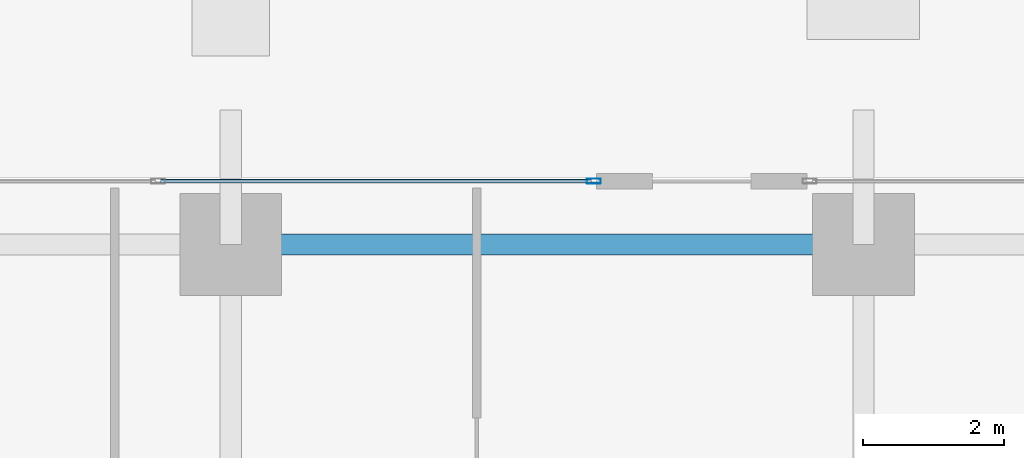
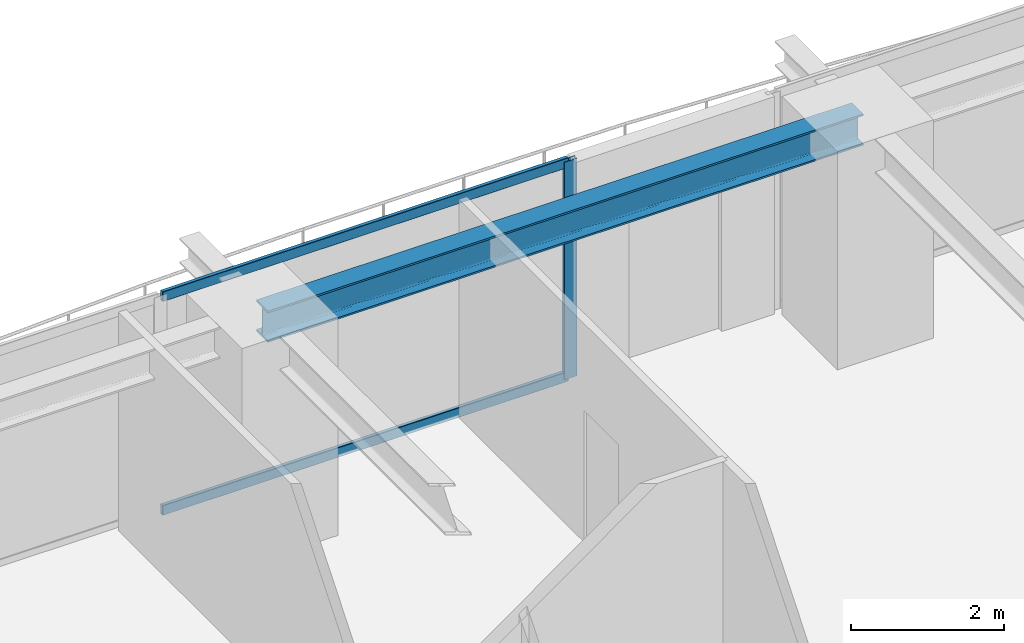
# One storey, part 18 of 36: 3 members, 1 beam, 1 element without a shape of its own.
"""IFC4 building model written with IfcOpenShell, lengths in metres."""

from ifc_helpers import new_model, si_unit, direction, frame, origin, origin_2d, place, context, subcontext, project, spatial, hollow_rectangle, i_section, extrude, source, transform, mapped, material, layer, layer_set, material_profile, profile_set, type_object, element, aggregate, save


model = new_model("IFC4")

# Units and contexts
model_context = context("Model", 3, precision=1e-05, world=origin(), true_north=direction((0.0, 1.0)))
body_context = subcontext(model_context, "Body", "Model", "MODEL_VIEW")
ifc_project = project(units=[si_unit("LENGTHUNIT", "METRE"), si_unit("AREAUNIT", "SQUARE_METRE"), si_unit("VOLUMEUNIT", "CUBIC_METRE"), si_unit("PLANEANGLEUNIT", "RADIAN"), si_unit("MASSUNIT", "GRAM", prefix="KILO")], contexts=[model_context])

# Site, building, storey
site_placement = place(None, origin())
site = spatial("IfcSite", under=ifc_project, at=site_placement, CompositionType="ELEMENT")
building_placement = place(site_placement, origin())
building = spatial("IfcBuilding", under=site, at=building_placement, Name="Serunith Strait Residences", CompositionType="ELEMENT")
storey_placement = place(building_placement, frame((0.0, 0.0, 86.699951171875)))
storey = spatial("IfcBuildingStorey", under=building, at=storey_placement, Name="L21", CompositionType="ELEMENT", Elevation=86.699951171875)

# Beam
ifc_material_1 = material(Name="Steel S355J2", Category="steel")
ifc_material_profile_1 = material_profile(ifc_material_1, i_section(OverallWidth=0.300048828125, OverallDepth=0.5, WebThickness=0.014404296875, FlangeThickness=0.028076171875, FilletRadius=0.027099609375, at=origin_2d()), Name="HEB 500")
ifc_profile_set_1 = profile_set([ifc_material_profile_1], Name="Steel S355J2")
beam_type = type_object("IfcBeamType", Name="BM-HEB500", PredefinedType="BEAM", material=ifc_profile_set_1)
shared_shape_1 = source(origin(), body_context, "Body", "SweptSolid", [
    extrude(i_section(OverallWidth=0.300048828125, OverallDepth=0.5, WebThickness=0.014404296875, FlangeThickness=0.028076171875, FilletRadius=0.027099609375, at=origin_2d()), origin(), (0.0, 0.0, 1.0), 9.0),
])
beam_placement = place(storey_placement, frame((36.89990234375, 49.300048828125, 3.237060546875), z_axis=(-1.0, 0.0, 0.0), x_axis=(0.0, -1.0, 0.0)))
element("IfcBeam", 1, at=beam_placement, inside=storey, type_object=beam_type, Name="L21 Perimeter Ring Beam 10", PredefinedType="BEAM", context=body_context, shape_type="MappedRepresentation", body=[
    mapped(shared_shape_1, transform((0.0, 0.0, 0.0), scale=1.0)),
])

# Curtain wall, members
ifc_material_2 = material(Name="Pale-Champagne Anodised Aluminium", Category="aluminium")
ifc_layer = layer(ifc_material_2, 0.199951171875, Name="Pale-Champagne Anodised Aluminium")
ifc_layer_set = layer_set([ifc_layer], Name="Pale-Champagne Anodised Aluminium")
curtain_wall_type = type_object("IfcCurtainWallType", Name="CW-SYS1", PredefinedType="NOTDEFINED", material=ifc_layer_set)
curtain_wall_placement = place(storey_placement, origin())
curtain_wall = element("IfcCurtainWall", 2, at=curtain_wall_placement, inside=storey, type_object=curtain_wall_type, Name="L21 N Unitised Fritted Curtain Wall", PredefinedType="NOTDEFINED")
ifc_material_profile_2 = material_profile(ifc_material_2, hollow_rectangle(XDim=0.070068359375, YDim=0.199951171875, WallThickness=0.00390625, InnerFilletRadius=0.006103515625, OuterFilletRadius=0.010009765625, at=origin_2d()), Name="ALU 200x70x4")
ifc_profile_set_2 = profile_set([ifc_material_profile_2], Name="Pale-Champagne Anodised Aluminium")
member_type_1 = type_object("IfcMemberType", Name="CW-SYS1-MULL", PredefinedType="MULLION", material=ifc_profile_set_2)
shared_shape_2 = source(origin(), body_context, "Body", "SweptSolid", [
    extrude(hollow_rectangle(XDim=0.070068359375, YDim=0.199951171875, WallThickness=0.00390625, InnerFilletRadius=0.006103515625, OuterFilletRadius=0.010009765625, at=origin_2d()), origin(), (0.0, 0.0, 1.0), 3.47509765625),
])
member_1_placement = place(storey_placement, frame((33.06494140625, 50.199951171875, 0.0), z_axis=(0.0, 0.0, 1.0), x_axis=(0.0, -1.0, 0.0)))
member_1 = element("IfcMember", 3, at=member_1_placement, type_object=member_type_1, Name="CW-1 mullion 1", PredefinedType="MULLION", context=body_context, shape_type="MappedRepresentation", body=[
    mapped(shared_shape_2, transform((0.0, 0.0, 0.0), scale=1.0)),
])
ifc_material_profile_3 = material_profile(ifc_material_2, hollow_rectangle(XDim=0.06005859375, YDim=0.159912109375, WallThickness=0.00341796875, InnerFilletRadius=0.00537109375, OuterFilletRadius=0.0087890625, at=origin_2d()), Name="ALU 160x60x3.5")
ifc_profile_set_3 = profile_set([ifc_material_profile_3], Name="Pale-Champagne Anodised Aluminium")
member_type_2 = type_object("IfcMemberType", Name="CW-SYS1-TRAN", PredefinedType="USERDEFINED", material=ifc_profile_set_3)
shared_shape_3 = source(origin(), body_context, "Body", "SweptSolid", [
    extrude(hollow_rectangle(XDim=0.06005859375, YDim=0.159912109375, WallThickness=0.00341796875, InnerFilletRadius=0.00537109375, OuterFilletRadius=0.0087890625, at=origin_2d()), origin(), (0.0, 0.0, 1.0), 6.12841796875),
])
member_2_placement = place(storey_placement, frame((33.030029296875, 50.199951171875, 0.030029296875), z_axis=(-1.0, 0.0, 0.0), x_axis=(0.0, -1.0, 0.0)))
member_2 = element("IfcMember", 4, at=member_2_placement, type_object=member_type_2, Name="CW-1 transom 1.1", ObjectType="TRANSOM", PredefinedType="USERDEFINED", context=body_context, shape_type="MappedRepresentation", body=[
    mapped(shared_shape_3, transform((0.0, 0.0, 0.0), scale=1.0)),
])
member_3_placement = place(storey_placement, frame((33.030029296875, 50.199951171875, 3.445068359375), z_axis=(-1.0, 0.0, 0.0), x_axis=(0.0, -1.0, 0.0)))
member_3 = element("IfcMember", 5, at=member_3_placement, type_object=member_type_2, Name="CW-1 transom 1.2", ObjectType="TRANSOM", PredefinedType="USERDEFINED", context=body_context, shape_type="MappedRepresentation", body=[
    mapped(shared_shape_3, transform((0.0, 0.0, 0.0), scale=1.0)),
])
aggregate(curtain_wall, [member_1, member_2, member_3])

save(model, "model.ifc")
